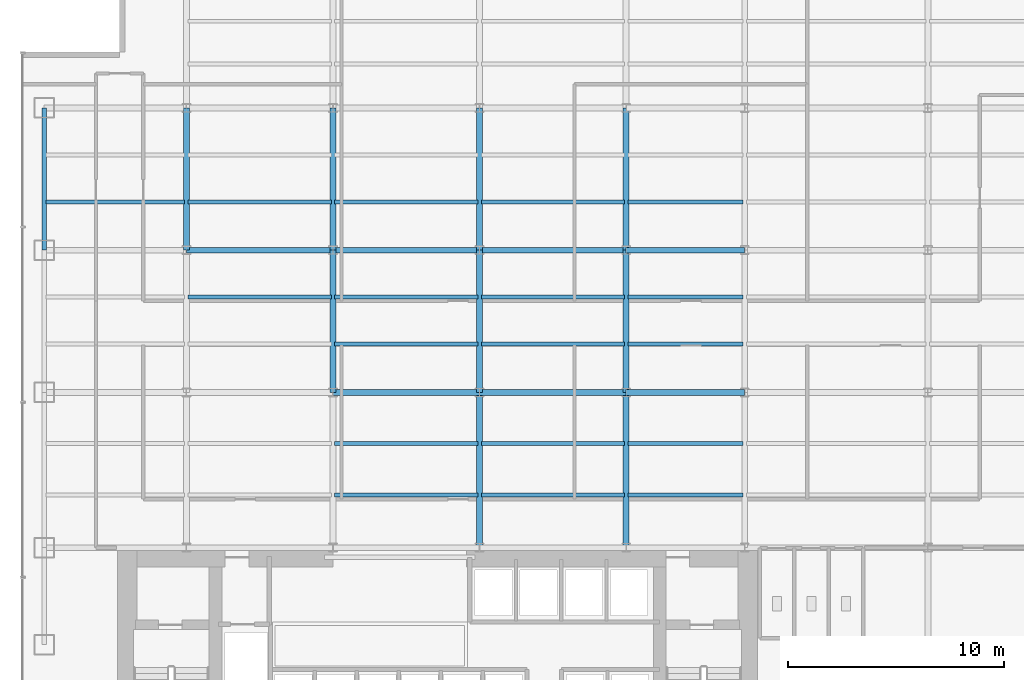
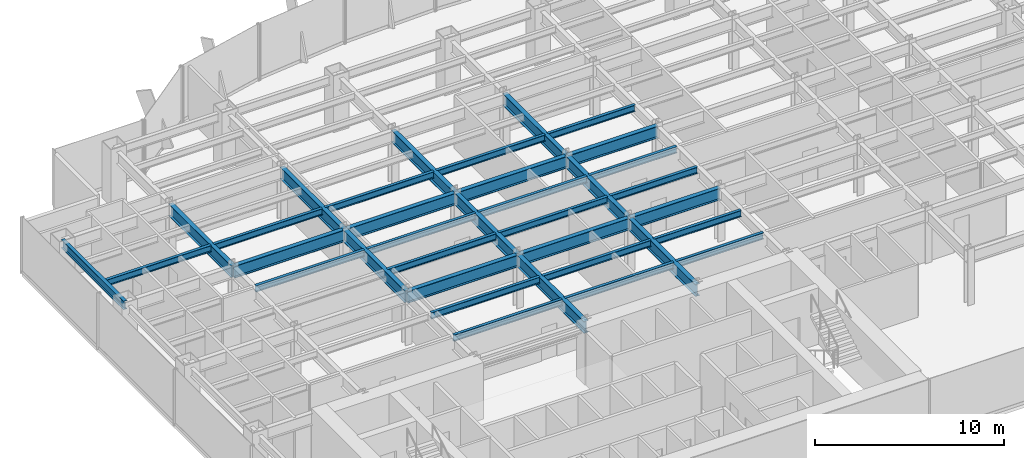
# One storey, part 5 of 22: 35 beams.
"""IFC4 building model written with IfcOpenShell, lengths in metres."""

from ifc_helpers import new_model, si_unit, derived_unit, direction, frame, origin, origin_2d, place, context, subcontext, project, spatial, i_section, extrude, source, transform, mapped, material, material_profile, profile_set, type_object, element, save


model = new_model("IFC4")

# Units and contexts
model_context = context("Model", 3, precision=1e-05, world=origin(), true_north=direction((0.0, 1.0)))
body_context = subcontext(model_context, "Body", "Model", "MODEL_VIEW")
ifc_project = project(units=[si_unit("LENGTHUNIT", "METRE"), si_unit("AREAUNIT", "SQUARE_METRE"), si_unit("VOLUMEUNIT", "CUBIC_METRE"), si_unit("PLANEANGLEUNIT", "RADIAN"), si_unit("MASSUNIT", "GRAM", prefix="KILO"), derived_unit("THERMALTRANSMITTANCEUNIT", [(si_unit("POWERUNIT", "WATT"), 1), (si_unit("LENGTHUNIT", "METRE"), -2), (si_unit("THERMODYNAMICTEMPERATUREUNIT", "KELVIN"), -1)])], contexts=[model_context])

# Site, building, storey
site_placement = place(None, origin())
site = spatial("IfcSite", under=ifc_project, at=site_placement, CompositionType="ELEMENT")
building_placement = place(site_placement, origin())
building = spatial("IfcBuilding", under=site, at=building_placement, Name="Skarnbrae Concourse Arena and Tower", CompositionType="ELEMENT")
storey_placement = place(building_placement, frame((0.0, 0.0, 69.0)))
storey = spatial("IfcBuildingStorey", under=building, at=storey_placement, Name="L16", CompositionType="ELEMENT", Elevation=69.0)

# Beams
ifc_material = material(Name="Steel CSA G40.21 350W", Category="steel")
ifc_material_profile_1 = material_profile(ifc_material, i_section(OverallWidth=0.26806640625, OverallDepth=0.77001953125, WebThickness=0.015625, FlangeThickness=0.025390625, at=origin_2d()), Name="W760X196")
ifc_profile_set_1 = profile_set([ifc_material_profile_1], Name="Steel CSA G40.21 350W")
beam_type_1 = type_object("IfcBeamType", Name="BM-GIRD-W760X196", PredefinedType="BEAM", material=ifc_profile_set_1)
shared_shape_1 = source(origin(), body_context, "Body", "SweptSolid", [
    extrude(i_section(OverallWidth=0.26806640625, OverallDepth=0.77001953125, WebThickness=0.015625, FlangeThickness=0.025390625, at=origin_2d()), origin(), (0.0, 0.0, 1.0), 6.60009765625),
])
for number, where, z_axis, x_axis, name in (
    (1, (14.39990234375, 21.199951171875, 3.014892578125), (0.0, 1.0, 0.0), (-1.0, 0.0, 0.0), "L16 Primary N-S girder X14.4-2"),
    (2, (21.199951171875, 21.199951171875, 3.014892578125), (0.0, 1.0, 0.0), (-1.0, 0.0, 0.0), "L16 Primary N-S girder X21.2-2"),
    (3, (28.0, 21.199951171875, 3.014892578125), (0.0, 1.0, 0.0), (-1.0, 0.0, 0.0), "L16 Primary N-S girder X28.0-2"),
):
    element("IfcBeam", number, at=place(storey_placement, frame(where, z_axis=z_axis, x_axis=x_axis)), inside=storey, type_object=beam_type_1, Name=name, PredefinedType="BEAM", context=body_context, shape_type="MappedRepresentation", body=[
        mapped(shared_shape_1, transform((0.0, 0.0, 0.0))),
    ])
shared_shape_2 = source(origin(), body_context, "Body", "SweptSolid", [
    extrude(i_section(OverallWidth=0.26806640625, OverallDepth=0.77001953125, WebThickness=0.015625, FlangeThickness=0.025390625, at=origin_2d()), origin(), (0.0, 0.0, 1.0), 6.7998046875),
])
beam_1_placement = place(storey_placement, frame((7.60009765625, 27.800048828125, 3.014892578125), z_axis=(1.0, 0.0, 0.0), x_axis=(0.0, 1.0, 0.0)))
element("IfcBeam", 4, at=beam_1_placement, inside=storey, type_object=beam_type_1, Name="L16 Primary E-W girder Y27.8-2", PredefinedType="BEAM", context=body_context, shape_type="MappedRepresentation", body=[
    mapped(shared_shape_2, transform((0.0, 0.0, 0.0))),
])
shared_shape_3 = source(origin(), body_context, "Body", "SweptSolid", [
    extrude(i_section(OverallWidth=0.26806640625, OverallDepth=0.77001953125, WebThickness=0.015625, FlangeThickness=0.025390625, at=origin_2d()), origin(), (0.0, 0.0, 1.0), 6.800048828125),
])
for number, where, z_axis, x_axis, name in (
    (5, (14.39990234375, 21.199951171875, 3.014892578125), (1.0, 0.0, 0.0), (0.0, 1.0, 0.0), "L16 Primary E-W girder Y21.2-3"),
    (6, (21.199951171875, 21.199951171875, 3.014892578125), (1.0, 0.0, 0.0), (0.0, 1.0, 0.0), "L16 Primary E-W girder Y21.2-4"),
    (7, (14.39990234375, 27.800048828125, 3.014892578125), (1.0, 0.0, 0.0), (0.0, 1.0, 0.0), "L16 Primary E-W girder Y27.8-3"),
    (8, (21.199951171875, 27.800048828125, 3.014892578125), (1.0, 0.0, 0.0), (0.0, 1.0, 0.0), "L16 Primary E-W girder Y27.8-4"),
):
    element("IfcBeam", number, at=place(storey_placement, frame(where, z_axis=z_axis, x_axis=x_axis)), inside=storey, type_object=beam_type_1, Name=name, PredefinedType="BEAM", context=body_context, shape_type="MappedRepresentation", body=[
        mapped(shared_shape_3, transform((0.0, 0.0, 0.0))),
    ])
shared_shape_4 = source(origin(), body_context, "Body", "SweptSolid", [
    extrude(i_section(OverallWidth=0.26806640625, OverallDepth=0.77001953125, WebThickness=0.015625, FlangeThickness=0.025390625, at=origin_2d()), origin(), (0.0, 0.0, 1.0), 5.5),
])
for number, where, z_axis, x_axis, name in (
    (9, (28.0, 21.199951171875, 3.014892578125), (1.0, 0.0, 0.0), (0.0, 1.0, 0.0), "L16 Primary E-W girder Y21.2-5"),
    (10, (28.0, 27.800048828125, 3.014892578125), (1.0, 0.0, 0.0), (0.0, 1.0, 0.0), "L16 Primary E-W girder Y27.8-5"),
):
    element("IfcBeam", number, at=place(storey_placement, frame(where, z_axis=z_axis, x_axis=x_axis)), inside=storey, type_object=beam_type_1, Name=name, PredefinedType="BEAM", context=body_context, shape_type="MappedRepresentation", body=[
        mapped(shared_shape_4, transform((0.0, 0.0, 0.0))),
    ])
ifc_material_profile_2 = material_profile(ifc_material, i_section(OverallWidth=0.214111328125, OverallDepth=0.549072265625, WebThickness=0.0146484375, FlangeThickness=0.023681640625, at=origin_2d()), Name="W530X138")
ifc_profile_set_2 = profile_set([ifc_material_profile_2], Name="Steel CSA G40.21 350W")
beam_type_2 = type_object("IfcBeamType", Name="BM-SPAN-W530X138", PredefinedType="SPANDREL", material=ifc_profile_set_2)
shared_shape_5 = source(origin(), body_context, "Body", "SweptSolid", [
    extrude(i_section(OverallWidth=0.214111328125, OverallDepth=0.549072265625, WebThickness=0.0146484375, FlangeThickness=0.023681640625, at=origin_2d()), origin(), (0.0, 0.0, 1.0), 6.599853515625),
])
beam_2_placement = place(storey_placement, frame((1.0, 27.800048828125, 3.12548828125), z_axis=(0.0, 1.0, 0.0), x_axis=(-1.0, 0.0, 0.0)))
element("IfcBeam", 11, at=beam_2_placement, inside=storey, type_object=beam_type_2, Name="L16 Perimeter spandrel X1.0-4", PredefinedType="SPANDREL", context=body_context, shape_type="MappedRepresentation", body=[
    mapped(shared_shape_5, transform((0.0, 0.0, 0.0))),
])
shared_shape_6 = source(origin(), body_context, "Body", "SweptSolid", [
    extrude(i_section(OverallWidth=0.26806640625, OverallDepth=0.77001953125, WebThickness=0.015625, FlangeThickness=0.025390625, at=origin_2d()), origin(), (0.0, 0.0, 1.0), 7.199951171875),
])
for number, where, z_axis, x_axis, name in (
    (12, (21.199951171875, 14.0, 3.014892578125), (0.0, 1.0, 0.0), (-1.0, 0.0, 0.0), "L16 Primary N-S girder X21.2-1"),
    (13, (28.0, 14.0, 3.014892578125), (0.0, 1.0, 0.0), (-1.0, 0.0, 0.0), "L16 Primary N-S girder X28.0-1"),
):
    element("IfcBeam", number, at=place(storey_placement, frame(where, z_axis=z_axis, x_axis=x_axis)), inside=storey, type_object=beam_type_1, Name=name, PredefinedType="BEAM", context=body_context, shape_type="MappedRepresentation", body=[
        mapped(shared_shape_6, transform((0.0, 0.0, 0.0))),
    ])
shared_shape_7 = source(origin(), body_context, "Body", "SweptSolid", [
    extrude(i_section(OverallWidth=0.26806640625, OverallDepth=0.77001953125, WebThickness=0.015625, FlangeThickness=0.025390625, at=origin_2d()), origin(), (0.0, 0.0, 1.0), 6.599853515625),
])
for number, where, z_axis, x_axis, name in (
    (14, (7.60009765625, 27.800048828125, 3.014892578125), (0.0, 1.0, 0.0), (-1.0, 0.0, 0.0), "L16 Primary N-S girder X7.6-3"),
    (15, (14.39990234375, 27.800048828125, 3.014892578125), (0.0, 1.0, 0.0), (-1.0, 0.0, 0.0), "L16 Primary N-S girder X14.4-3"),
    (16, (21.199951171875, 27.800048828125, 3.014892578125), (0.0, 1.0, 0.0), (-1.0, 0.0, 0.0), "L16 Primary N-S girder X21.2-3"),
    (17, (28.0, 27.800048828125, 3.014892578125), (0.0, 1.0, 0.0), (-1.0, 0.0, 0.0), "L16 Primary N-S girder X28.0-3"),
):
    element("IfcBeam", number, at=place(storey_placement, frame(where, z_axis=z_axis, x_axis=x_axis)), inside=storey, type_object=beam_type_1, Name=name, PredefinedType="BEAM", context=body_context, shape_type="MappedRepresentation", body=[
        mapped(shared_shape_7, transform((0.0, 0.0, 0.0))),
    ])
ifc_material_profile_3 = material_profile(ifc_material, i_section(OverallWidth=0.180908203125, OverallDepth=0.4169921875, WebThickness=0.010986328125, FlangeThickness=0.018310546875, at=origin_2d()), Name="W410X85")
ifc_profile_set_3 = profile_set([ifc_material_profile_3], Name="Steel CSA G40.21 350W")
beam_type_3 = type_object("IfcBeamType", Name="BM-JOIST-W410X85", PredefinedType="JOIST", material=ifc_profile_set_3)
shared_shape_8 = source(origin(), body_context, "Body", "SweptSolid", [
    extrude(i_section(OverallWidth=0.180908203125, OverallDepth=0.4169921875, WebThickness=0.010986328125, FlangeThickness=0.018310546875, at=origin_2d()), origin(), (0.0, 0.0, 1.0), 6.43994140625),
])
beam_3_placement = place(storey_placement, frame((1.080078125, 30.0439453125, 3.19140625), z_axis=(1.0, 0.0, 0.0), x_axis=(0.0, 1.0, 0.0)))
element("IfcBeam", 18, at=beam_3_placement, inside=storey, type_object=beam_type_3, Name="L16 Secondary floor joist 3.1.1", PredefinedType="JOIST", context=body_context, shape_type="MappedRepresentation", body=[
    mapped(shared_shape_8, transform((0.0, 0.0, 0.0))),
])
shared_shape_9 = source(origin(), body_context, "Body", "SweptSolid", [
    extrude(i_section(OverallWidth=0.180908203125, OverallDepth=0.4169921875, WebThickness=0.010986328125, FlangeThickness=0.018310546875, at=origin_2d()), origin(), (0.0, 0.0, 1.0), 6.64013671875),
])
for number, where, z_axis, x_axis, name in (
    (19, (14.47998046875, 16.447998046875, 3.19140625), (1.0, 0.0, 0.0), (0.0, 1.0, 0.0), "L16 Secondary floor joist 1.1.3"),
    (20, (14.47998046875, 18.823974609375, 3.19140625), (1.0, 0.0, 0.0), (0.0, 1.0, 0.0), "L16 Secondary floor joist 1.2.3"),
    (21, (14.47998046875, 23.444091796875, 3.19140625), (1.0, 0.0, 0.0), (0.0, 1.0, 0.0), "L16 Secondary floor joist 2.1.3"),
    (22, (7.679931640625, 25.6220703125, 3.19140625), (1.0, 0.0, 0.0), (0.0, 1.0, 0.0), "L16 Secondary floor joist 2.2.2"),
    (23, (14.47998046875, 25.6220703125, 3.19140625), (1.0, 0.0, 0.0), (0.0, 1.0, 0.0), "L16 Secondary floor joist 2.2.3"),
    (24, (7.679931640625, 30.0439453125, 3.19140625), (1.0, 0.0, 0.0), (0.0, 1.0, 0.0), "L16 Secondary floor joist 3.1.2"),
    (25, (14.47998046875, 30.0439453125, 3.19140625), (1.0, 0.0, 0.0), (0.0, 1.0, 0.0), "L16 Secondary floor joist 3.1.3"),
):
    element("IfcBeam", number, at=place(storey_placement, frame(where, z_axis=z_axis, x_axis=x_axis)), inside=storey, type_object=beam_type_3, Name=name, PredefinedType="JOIST", context=body_context, shape_type="MappedRepresentation", body=[
        mapped(shared_shape_9, transform((0.0, 0.0, 0.0))),
    ])
shared_shape_10 = source(origin(), body_context, "Body", "SweptSolid", [
    extrude(i_section(OverallWidth=0.180908203125, OverallDepth=0.4169921875, WebThickness=0.010986328125, FlangeThickness=0.018310546875, at=origin_2d()), origin(), (0.0, 0.0, 1.0), 6.639892578125),
])
for number, where, z_axis, x_axis, name in (
    (26, (21.280029296875, 16.447998046875, 3.19140625), (1.0, 0.0, 0.0), (0.0, 1.0, 0.0), "L16 Secondary floor joist 1.1.4"),
    (27, (21.280029296875, 18.823974609375, 3.19140625), (1.0, 0.0, 0.0), (0.0, 1.0, 0.0), "L16 Secondary floor joist 1.2.4"),
    (28, (21.280029296875, 23.444091796875, 3.19140625), (1.0, 0.0, 0.0), (0.0, 1.0, 0.0), "L16 Secondary floor joist 2.1.4"),
    (29, (21.280029296875, 25.6220703125, 3.19140625), (1.0, 0.0, 0.0), (0.0, 1.0, 0.0), "L16 Secondary floor joist 2.2.4"),
    (30, (21.280029296875, 30.0439453125, 3.19140625), (1.0, 0.0, 0.0), (0.0, 1.0, 0.0), "L16 Secondary floor joist 3.1.4"),
):
    element("IfcBeam", number, at=place(storey_placement, frame(where, z_axis=z_axis, x_axis=x_axis)), inside=storey, type_object=beam_type_3, Name=name, PredefinedType="JOIST", context=body_context, shape_type="MappedRepresentation", body=[
        mapped(shared_shape_10, transform((0.0, 0.0, 0.0))),
    ])
shared_shape_11 = source(origin(), body_context, "Body", "SweptSolid", [
    extrude(i_section(OverallWidth=0.180908203125, OverallDepth=0.4169921875, WebThickness=0.010986328125, FlangeThickness=0.018310546875, at=origin_2d()), origin(), (0.0, 0.0, 1.0), 5.33984375),
])
for number, where, z_axis, x_axis, name in (
    (31, (28.080078125, 16.447998046875, 3.19140625), (1.0, 0.0, 0.0), (0.0, 1.0, 0.0), "L16 Secondary floor joist 1.1.5"),
    (32, (28.080078125, 18.823974609375, 3.19140625), (1.0, 0.0, 0.0), (0.0, 1.0, 0.0), "L16 Secondary floor joist 1.2.5"),
    (33, (28.080078125, 23.444091796875, 3.19140625), (1.0, 0.0, 0.0), (0.0, 1.0, 0.0), "L16 Secondary floor joist 2.1.5"),
    (34, (28.080078125, 25.6220703125, 3.19140625), (1.0, 0.0, 0.0), (0.0, 1.0, 0.0), "L16 Secondary floor joist 2.2.5"),
    (35, (28.080078125, 30.0439453125, 3.19140625), (1.0, 0.0, 0.0), (0.0, 1.0, 0.0), "L16 Secondary floor joist 3.1.5"),
):
    element("IfcBeam", number, at=place(storey_placement, frame(where, z_axis=z_axis, x_axis=x_axis)), inside=storey, type_object=beam_type_3, Name=name, PredefinedType="JOIST", context=body_context, shape_type="MappedRepresentation", body=[
        mapped(shared_shape_11, transform((0.0, 0.0, 0.0))),
    ])

save(model, "model.ifc")
